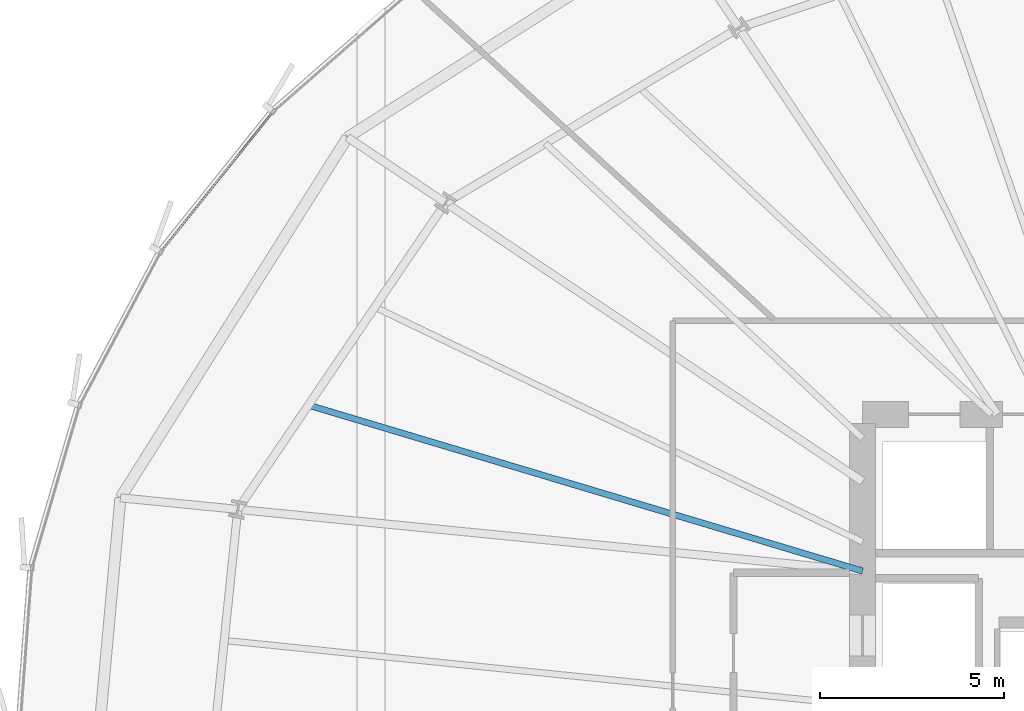
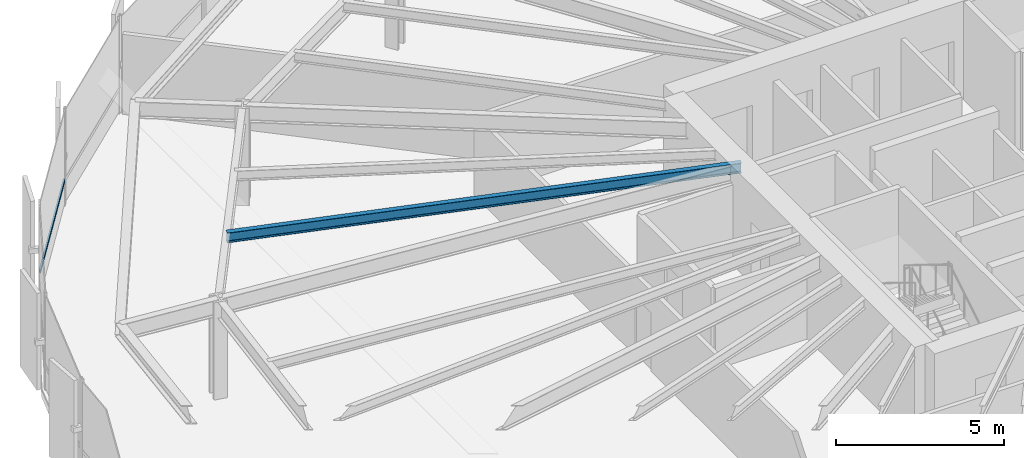
# One storey, part 21 of 42: 1 beam, 1 member, 1 element without a shape of its own.
"""IFC4 building model written with IfcOpenShell, lengths in metres."""

from ifc_helpers import new_model, si_unit, direction, frame, origin, origin_2d, place, context, subcontext, project, spatial, hollow_rectangle, i_section, extrude, source, transform, mapped, material, layer, layer_set, material_profile, profile_set, type_object, element, aggregate, save


model = new_model("IFC4")

# Units and contexts
model_context = context("Model", 3, precision=1e-05, world=origin(), true_north=direction((0.0, 1.0)))
body_context = subcontext(model_context, "Body", "Model", "MODEL_VIEW")
ifc_project = project(units=[si_unit("LENGTHUNIT", "METRE"), si_unit("AREAUNIT", "SQUARE_METRE"), si_unit("VOLUMEUNIT", "CUBIC_METRE"), si_unit("PLANEANGLEUNIT", "RADIAN"), si_unit("MASSUNIT", "GRAM", prefix="KILO"), si_unit("THERMODYNAMICTEMPERATUREUNIT", "KELVIN")], contexts=[model_context])

# Site, building, storey
site_placement = place(None, origin())
site = spatial("IfcSite", under=ifc_project, at=site_placement, CompositionType="ELEMENT")
building_placement = place(site_placement, origin())
building = spatial("IfcBuilding", under=site, at=building_placement, Name="Kethvar Cultural Tower", CompositionType="ELEMENT")
storey_placement = place(building_placement, frame((0.0, 0.0, 37.199951171875)))
storey = spatial("IfcBuildingStorey", under=building, at=storey_placement, Name="L08", CompositionType="ELEMENT", Elevation=37.199951171875)

# Beam
ifc_material_1 = material(Name="Steel S355J2", Category="steel")
ifc_material_profile_1 = material_profile(ifc_material_1, i_section(OverallWidth=0.169921875, OverallDepth=0.360107421875, WebThickness=0.008056640625, FlangeThickness=0.0126953125, FilletRadius=0.01806640625, at=origin_2d()), Name="Steel S355J2 — IPE360")
ifc_profile_set_1 = profile_set([ifc_material_profile_1], Name="Steel S355J2 — IPE360")
beam_type = type_object("IfcBeamType", Name="BM-J360", PredefinedType="JOIST", material=ifc_profile_set_1)
shared_shape_1 = source(origin(), body_context, "Body", "SweptSolid", [
    extrude(i_section(OverallWidth=0.169921875, OverallDepth=0.360107421875, WebThickness=0.008056640625, FlangeThickness=0.0126953125, FilletRadius=0.01806640625, at=origin_2d()), origin(), (0.0, 0.0, 1.0), 15.6953125),
])
beam_placement = place(storey_placement, frame((38.0, 31.25, 3.3681640625), z_axis=(-0.958003344758, 0.28675702508, 0.0), x_axis=(-0.28675702508, -0.958003344758, 0.0)))
element("IfcBeam", 1, at=beam_placement, inside=storey, type_object=beam_type, Name="L08 Composite Floor Joist J-07B", PredefinedType="JOIST", context=body_context, shape_type="MappedRepresentation", body=[
    mapped(shared_shape_1, transform((0.0, 0.0, 0.0), scale=1.0)),
])

# Curtain wall, member
ifc_material_2 = material(Name="Aluminium 6063-T6", Category="aluminium")
ifc_layer = layer(ifc_material_2, 0.179931640625, Name="Aluminium 6063-T6", Category="aluminium")
ifc_layer_set = layer_set([ifc_layer], Name="Aluminium 6063-T6 (180 mm)")
curtain_wall_type = type_object("IfcCurtainWallType", Name="CW-SYS-02-Z1", PredefinedType="NOTDEFINED", material=ifc_layer_set)
curtain_wall_placement = place(storey_placement, origin())
curtain_wall = element("IfcCurtainWall", 2, at=curtain_wall_placement, inside=storey, type_object=curtain_wall_type, Name="L08 Curtain Wall Run 03", PredefinedType="NOTDEFINED")
ifc_material_profile_2 = material_profile(ifc_material_2, hollow_rectangle(XDim=0.054931640625, YDim=0.1201171875, WallThickness=0.00390625, at=origin_2d()), Name="Aluminium 6063-T6 — RHS120x55x4")
ifc_profile_set_2 = profile_set([ifc_material_profile_2], Name="Aluminium 6063-T6 — RHS120x55x4")
member_type = type_object("IfcMemberType", Name="CW-SYS-02-Z1-TRN", PredefinedType="USERDEFINED", material=ifc_profile_set_2)
shared_shape_2 = source(origin(), body_context, "Body", "SweptSolid", [
    extrude(hollow_rectangle(XDim=0.054931640625, YDim=0.1201171875, WallThickness=0.00390625, at=origin_2d()), origin(), (0.0, 0.0, 1.0), 4.803955078125),
])
member_placement = place(storey_placement, frame((21.976806640625, 43.679931640625, 0.949951171875), z_axis=(-0.625289832605, -0.780392609678, 0.0), x_axis=(0.780392609678, -0.625289832605, 0.0)))
member = element("IfcMember", 3, at=member_placement, type_object=member_type, Name="CW-L08-R03 Transom 3", ObjectType="TRANSOM", PredefinedType="USERDEFINED", context=body_context, shape_type="MappedRepresentation", body=[
    mapped(shared_shape_2, transform((0.0, 0.0, 0.0), scale=1.0)),
])
aggregate(curtain_wall, [member])

save(model, "model.ifc")
